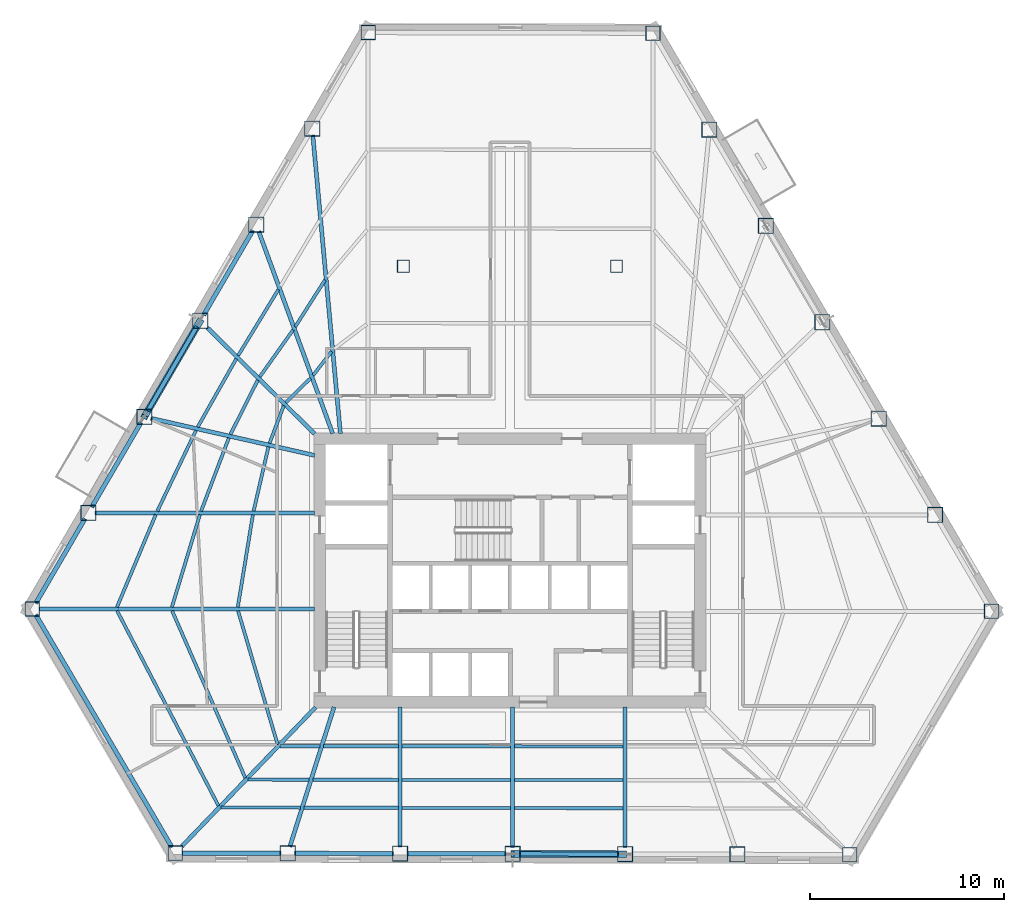
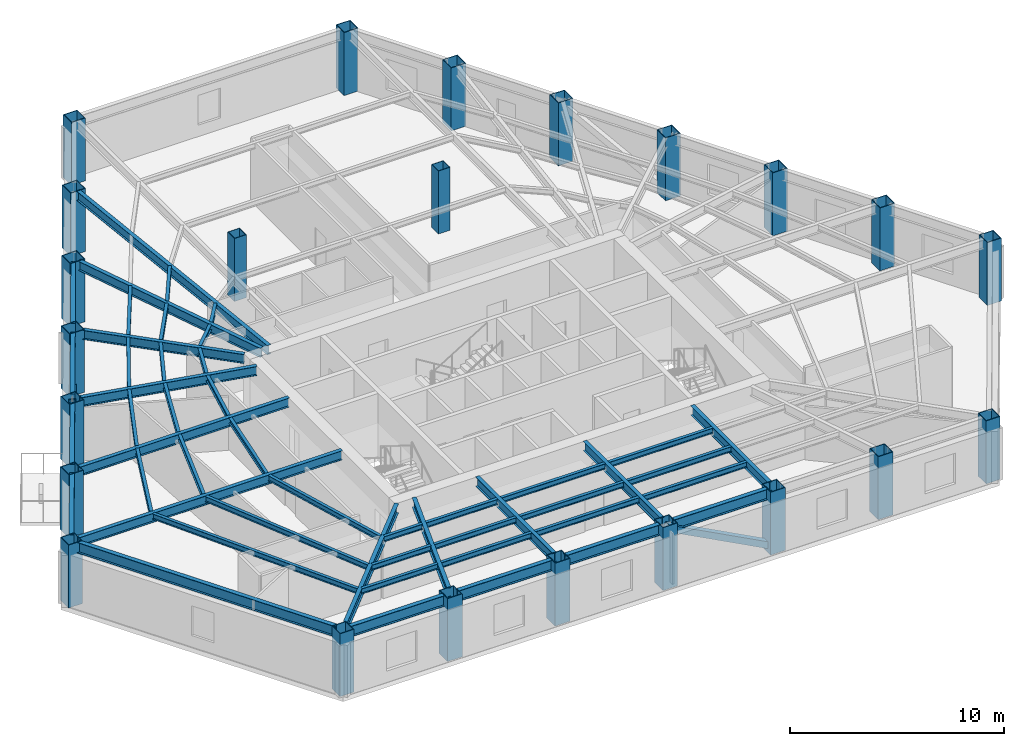
# One storey, part 1 of 11: 49 beams, 23 columns, 2 members.
"""IFC4 building model written with IfcOpenShell, lengths in metres."""

from ifc_helpers import new_model, si_unit, direction, frame, origin, origin_2d, place, context, subcontext, project, spatial, hollow_rectangle, i_section, extrude, material, material_profile, profile_set, type_object, element, save


model = new_model("IFC4")

# Units and contexts
model_context = context("Model", 3, precision=1e-05, world=origin(), true_north=direction((0.0, 1.0)))
body_context = subcontext(model_context, "Body", "Model", "MODEL_VIEW")
ifc_project = project(units=[si_unit("LENGTHUNIT", "METRE"), si_unit("AREAUNIT", "SQUARE_METRE"), si_unit("VOLUMEUNIT", "CUBIC_METRE"), si_unit("PLANEANGLEUNIT", "RADIAN"), si_unit("MASSUNIT", "GRAM", prefix="KILO")], contexts=[model_context])

# Site, building, storey
site_placement = place(None, origin())
site = spatial("IfcSite", under=ifc_project, at=site_placement, CompositionType="ELEMENT")
building_placement = place(site_placement, origin())
building = spatial("IfcBuilding", under=site, at=building_placement, Name="Kavelnor Concourse Tower", CompositionType="ELEMENT")
storey_placement = place(building_placement, frame((0.0, 0.0, 56.050048828125)))
storey = spatial("IfcBuildingStorey", under=building, at=storey_placement, Name="L14", CompositionType="ELEMENT", Elevation=56.050048828125)

# Columns
ifc_material = material(Name="Steel Grade 350", Category="steel")
ifc_material_profile_1 = material_profile(ifc_material, hollow_rectangle(XDim=0.760009765625, YDim=0.760009765625, WallThickness=0.034912109375, at=origin_2d()), Name="SHS 760x760x35")
ifc_profile_set_1 = profile_set([ifc_material_profile_1], Name="Steel Grade 350")
column_type_1 = type_object("IfcColumnType", Name="COL-FOLD-Z1", PredefinedType="COLUMN", material=ifc_profile_set_1)
for number, where, z_axis, x_axis, name in (
    (1, (30.67919921875, 43.864501953125, 0.0), (0.0, 0.0, 1.0), (1.0, 0.0, 0.0), "L14 Perimeter Corner-Fold Column F0-B0"),
    (2, (13.345458984375, 14.102294921875, 0.0), (0.0, 0.0, 1.0), (1.0, 0.0, 0.0), "L14 Perimeter Corner-Fold Column F0-B6"),
    (3, (20.723388671875, 1.502685546875, 0.0), (0.0, 0.0, 1.0), (1.0, 0.0, 0.0), "L14 Perimeter Corner-Fold Column F1-B0"),
    (4, (55.54541015625, 1.42041015625, 0.0), (0.0, 0.0, 1.0), (1.0, 0.0, 0.0), "L14 Perimeter Corner-Fold Column F1-B6"),
    (5, (62.861083984375, 13.981689453125, 0.0), (0.0, 0.0, 1.0), (1.0, 0.0, 0.0), "L14 Perimeter Corner-Fold Column F2-B0"),
    (6, (45.3828125, 43.829833984375, 0.0), (0.0, 0.0, 1.0), (1.0, 0.0, 0.0), "L14 Perimeter Corner-Fold Column F2-B6"),
):
    element("IfcColumn", number, at=place(storey_placement, frame(where, z_axis=z_axis, x_axis=x_axis)), inside=storey, type_object=column_type_1, Name=name, PredefinedType="COLUMN", context=body_context, shape_type="SweptSolid", body=[
        extrude(hollow_rectangle(XDim=0.760009765625, YDim=0.760009765625, WallThickness=0.034912109375, at=origin_2d()), origin(), (0.0, 0.0, 1.0), 3.58984375),
    ])
ifc_material_profile_2 = material_profile(ifc_material, hollow_rectangle(XDim=0.800048828125, YDim=0.800048828125, WallThickness=0.035888671875, at=origin_2d()), Name="SHS 800x800x36")
ifc_profile_set_2 = profile_set([ifc_material_profile_2], Name="Steel Grade 350")
column_type_2 = type_object("IfcColumnType", Name="COL-TUBE-Z1", PredefinedType="COLUMN", material=ifc_profile_set_2)
for number, where, z_axis, x_axis, name in (
    (7, (27.790283203125, 38.904296875, 0.0), (0.0, 0.0, 1.0), (1.0, 0.0, 0.0), "L14 Perimeter Framed-Tube Column F0-B1"),
    (8, (24.9013671875, 33.94384765625, 0.0), (0.0, 0.0, 1.0), (1.0, 0.0, 0.0), "L14 Perimeter Framed-Tube Column F0-B2"),
    (9, (22.012451171875, 28.9833984375, 0.0), (0.0, 0.0, 1.0), (1.0, 0.0, 0.0), "L14 Perimeter Framed-Tube Column F0-B3"),
    (10, (19.123291015625, 24.023193359375, 0.0), (0.0, 0.0, 1.0), (1.0, 0.0, 0.0), "L14 Perimeter Framed-Tube Column F0-B4"),
    (11, (16.234619140625, 19.062744140625, 0.0), (0.0, 0.0, 1.0), (1.0, 0.0, 0.0), "L14 Perimeter Framed-Tube Column F0-B5"),
    (12, (26.527099609375, 1.489013671875, 0.0), (0.0, 0.0, 1.0), (1.0, 0.0, 0.0), "L14 Perimeter Framed-Tube Column F1-B1"),
    (13, (32.330810546875, 1.47509765625, 0.0), (0.0, 0.0, 1.0), (1.0, 0.0, 0.0), "L14 Perimeter Framed-Tube Column F1-B2"),
    (14, (38.134521484375, 1.46142578125, 0.0), (0.0, 0.0, 1.0), (1.0, 0.0, 0.0), "L14 Perimeter Framed-Tube Column F1-B3"),
    (15, (43.93798828125, 1.447998046875, 0.0), (0.0, 0.0, 1.0), (1.0, 0.0, 0.0), "L14 Perimeter Framed-Tube Column F1-B4"),
    (16, (49.74169921875, 1.43408203125, 0.0), (0.0, 0.0, 1.0), (1.0, 0.0, 0.0), "L14 Perimeter Framed-Tube Column F1-B5"),
    (17, (59.947998046875, 18.956298828125, 0.0), (0.0, 0.0, 1.0), (1.0, 0.0, 0.0), "L14 Perimeter Framed-Tube Column F2-B1"),
    (18, (57.03515625, 23.93115234375, 0.0), (0.0, 0.0, 1.0), (1.0, 0.0, 0.0), "L14 Perimeter Framed-Tube Column F2-B2"),
    (19, (54.1220703125, 28.90576171875, 0.0), (0.0, 0.0, 1.0), (1.0, 0.0, 0.0), "L14 Perimeter Framed-Tube Column F2-B3"),
    (20, (51.208984375, 33.88037109375, 0.0), (0.0, 0.0, 1.0), (1.0, 0.0, 0.0), "L14 Perimeter Framed-Tube Column F2-B4"),
    (21, (48.2958984375, 38.85498046875, 0.0), (0.0, 0.0, 1.0), (1.0, 0.0, 0.0), "L14 Perimeter Framed-Tube Column F2-B5"),
):
    element("IfcColumn", number, at=place(storey_placement, frame(where, z_axis=z_axis, x_axis=x_axis)), inside=storey, type_object=column_type_2, Name=name, PredefinedType="COLUMN", context=body_context, shape_type="SweptSolid", body=[
        extrude(hollow_rectangle(XDim=0.800048828125, YDim=0.800048828125, WallThickness=0.035888671875, at=origin_2d()), origin(), (0.0, 0.0, 1.0), 3.58984375),
    ])
ifc_material_profile_3 = material_profile(ifc_material, hollow_rectangle(XDim=0.639892578125, YDim=0.639892578125, WallThickness=0.028076171875, at=origin_2d()), Name="SHS 640x640x28")
ifc_profile_set_3 = profile_set([ifc_material_profile_3], Name="Steel Grade 350")
column_type_3 = type_object("IfcColumnType", Name="COL-TUBE-Z3", PredefinedType="COLUMN", material=ifc_profile_set_3)
for number, where, z_axis, x_axis, name in (
    (22, (32.5, 31.800048828125, 0.0), (0.0, 0.0, 1.0), (1.0, 0.0, 0.0), "L14 North Interior Gravity Column BC-NW"),
    (23, (43.5, 31.800048828125, 0.0), (0.0, 0.0, 1.0), (1.0, 0.0, 0.0), "L14 North Interior Gravity Column BC-NE"),
):
    element("IfcColumn", number, at=place(storey_placement, frame(where, z_axis=z_axis, x_axis=x_axis)), inside=storey, type_object=column_type_3, Name=name, PredefinedType="COLUMN", context=body_context, shape_type="SweptSolid", body=[
        extrude(hollow_rectangle(XDim=0.639892578125, YDim=0.639892578125, WallThickness=0.028076171875, at=origin_2d()), origin(), (0.0, 0.0, 1.0), 3.58984375),
    ])

# Beams
ifc_material_profile_4 = material_profile(ifc_material, i_section(OverallWidth=0.166015625, OverallDepth=0.306884765625, WebThickness=0.006591796875, FlangeThickness=0.01171875, at=origin_2d()), Name="310UB46")
ifc_profile_set_4 = profile_set([ifc_material_profile_4], Name="Steel Grade 350")
beam_type_1 = type_object("IfcBeamType", Name="BM-JOIST-310", PredefinedType="JOIST", material=ifc_profile_set_4)
beam_1_placement = place(storey_placement, frame((23.96240234375, 14.008056640625, 3.4365234375), z_axis=(0.283916055534, -0.958849140068, 0.0), x_axis=(0.958849140068, 0.283916055534, 0.0)))
element("IfcBeam", 24, at=beam_1_placement, inside=storey, type_object=beam_type_1, Name="L14 Secondary Composite Joist 01-1", PredefinedType="JOIST", context=body_context, shape_type="SweptSolid", body=[
    extrude(i_section(OverallWidth=0.166015625, OverallDepth=0.306884765625, WebThickness=0.006591796875, FlangeThickness=0.01171875, at=origin_2d()), origin(), (0.0, 0.0, 1.0), 7.189697265625),
])
beam_2_placement = place(storey_placement, frame((20.5576171875, 14.01220703125, 3.4365234375), z_axis=(0.401239111096, -0.915973348808, 0.0), x_axis=(0.915973348808, 0.401239111096, 0.0)))
element("IfcBeam", 25, at=beam_2_placement, inside=storey, type_object=beam_type_1, Name="L14 Secondary Composite Joist 01-2", PredefinedType="JOIST", context=body_context, shape_type="SweptSolid", body=[
    extrude(i_section(OverallWidth=0.166015625, OverallDepth=0.306884765625, WebThickness=0.006591796875, FlangeThickness=0.01171875, at=origin_2d()), origin(), (0.0, 0.0, 1.0), 9.41552734375),
])
beam_3_placement = place(storey_placement, frame((17.716552734375, 14.014892578125, 3.4365234375), z_axis=(0.461268027369, -0.887260844919, 0.0), x_axis=(0.887260844919, 0.461268027369, 0.0)))
element("IfcBeam", 26, at=beam_3_placement, inside=storey, type_object=beam_type_1, Name="L14 Secondary Composite Joist 01-3", PredefinedType="JOIST", context=body_context, shape_type="SweptSolid", body=[
    extrude(i_section(OverallWidth=0.166015625, OverallDepth=0.306884765625, WebThickness=0.006591796875, FlangeThickness=0.01171875, at=origin_2d()), origin(), (0.0, 0.0, 1.0), 11.343505859375),
])
beam_4_placement = place(storey_placement, frame((26.130126953125, 7.019775390625, 3.4365234375), z_axis=(0.999999992905, 0.000119118522, 0.0), x_axis=(-0.000119118522, 0.999999992905, 0.0)))
element("IfcBeam", 27, at=beam_4_placement, inside=storey, type_object=beam_type_1, Name="L14 Secondary Composite Joist 02-1", PredefinedType="JOIST", context=body_context, shape_type="SweptSolid", body=[
    extrude(i_section(OverallWidth=0.166015625, OverallDepth=0.306884765625, WebThickness=0.006591796875, FlangeThickness=0.01171875, at=origin_2d()), origin(), (0.0, 0.0, 1.0), 2.049560546875),
])
beam_5_placement = place(storey_placement, frame((24.473388671875, 5.297607421875, 3.4365234375), z_axis=(0.99999748794, -0.002241453637, 0.0), x_axis=(0.002241453637, 0.99999748794, 0.0)))
element("IfcBeam", 28, at=beam_5_placement, inside=storey, type_object=beam_type_1, Name="L14 Secondary Composite Joist 02-2", PredefinedType="JOIST", context=body_context, shape_type="SweptSolid", body=[
    extrude(i_section(OverallWidth=0.166015625, OverallDepth=0.306884765625, WebThickness=0.006591796875, FlangeThickness=0.01171875, at=origin_2d()), origin(), (0.0, 0.0, 1.0), 3.15869140625),
])
beam_6_placement = place(storey_placement, frame((23.0927734375, 3.862548828125, 3.4365234375), z_axis=(0.999994592313, -0.003288669133, 0.0), x_axis=(0.003288669133, 0.999994592313, 0.0)))
element("IfcBeam", 29, at=beam_6_placement, inside=storey, type_object=beam_type_1, Name="L14 Secondary Composite Joist 02-3", PredefinedType="JOIST", context=body_context, shape_type="SweptSolid", body=[
    extrude(i_section(OverallWidth=0.166015625, OverallDepth=0.306884765625, WebThickness=0.006591796875, FlangeThickness=0.01171875, at=origin_2d()), origin(), (0.0, 0.0, 1.0), 4.0830078125),
])
beam_7_placement = place(storey_placement, frame((28.376708984375, 7.02001953125, 3.4365234375), z_axis=(0.999999711329, -0.000759830085, 0.0), x_axis=(0.000759830085, 0.999999711329, 0.0)))
element("IfcBeam", 30, at=beam_7_placement, inside=storey, type_object=beam_type_1, Name="L14 Secondary Composite Joist 03-1", PredefinedType="JOIST", context=body_context, shape_type="SweptSolid", body=[
    extrude(i_section(OverallWidth=0.166015625, OverallDepth=0.306884765625, WebThickness=0.006591796875, FlangeThickness=0.01171875, at=origin_2d()), origin(), (0.0, 0.0, 1.0), 3.855712890625),
])
beam_8_placement = place(storey_placement, frame((27.8291015625, 5.2900390625, 3.4365234375), z_axis=(0.999998794951, -0.001552448783, 0.0), x_axis=(0.001552448783, 0.999998794951, 0.0)))
element("IfcBeam", 31, at=beam_8_placement, inside=storey, type_object=beam_type_1, Name="L14 Secondary Composite Joist 03-2", PredefinedType="JOIST", context=body_context, shape_type="SweptSolid", body=[
    extrude(i_section(OverallWidth=0.166015625, OverallDepth=0.306884765625, WebThickness=0.006591796875, FlangeThickness=0.01171875, at=origin_2d()), origin(), (0.0, 0.0, 1.0), 4.4033203125),
])
beam_9_placement = place(storey_placement, frame((27.372802734375, 3.8486328125, 3.4365234375), z_axis=(0.99999777391, -0.00211001791, 0.0), x_axis=(0.00211001791, 0.99999777391, 0.0)))
element("IfcBeam", 32, at=beam_9_placement, inside=storey, type_object=beam_type_1, Name="L14 Secondary Composite Joist 03-3", PredefinedType="JOIST", context=body_context, shape_type="SweptSolid", body=[
    extrude(i_section(OverallWidth=0.166015625, OverallDepth=0.306884765625, WebThickness=0.006591796875, FlangeThickness=0.01171875, at=origin_2d()), origin(), (0.0, 0.0, 1.0), 4.859619140625),
])
for number, where, z_axis, x_axis, name in (
    (33, (32.42919921875, 7.01708984375, 3.4365234375), (0.999999757296, -0.000696712219, 0.0), (0.000696712219, 0.999999757296, 0.0), "L14 Secondary Composite Joist 04-1"),
    (34, (32.42919921875, 5.282958984375, 3.4365234375), (0.99999925672, -0.001219245773, 0.0), (0.001219245773, 0.99999925672, 0.0), "L14 Secondary Composite Joist 04-2"),
    (35, (32.42919921875, 3.837890625, 3.4365234375), (0.999998558, -0.001698233998, 0.0), (0.001698233998, 0.999998558, 0.0), "L14 Secondary Composite Joist 04-3"),
    (36, (38.23291015625, 7.01318359375, 3.4365234375), (0.999999786686, -0.000653167725, 0.0), (0.000653167725, 0.999999786686, 0.0), "L14 Secondary Composite Joist 05-1"),
    (37, (38.23291015625, 5.27587890625, 3.4365234375), (0.99999925672, -0.001219245773, 0.0), (0.001219245773, 0.99999925672, 0.0), "L14 Secondary Composite Joist 05-2"),
    (38, (38.23291015625, 3.828125, 3.4365234375), (0.999998558, -0.001698233998, 0.0), (0.001698233998, 0.999998558, 0.0), "L14 Secondary Composite Joist 05-3"),
):
    element("IfcBeam", number, at=place(storey_placement, frame(where, z_axis=z_axis, x_axis=x_axis)), inside=storey, type_object=beam_type_1, Name=name, PredefinedType="JOIST", context=body_context, shape_type="SweptSolid", body=[
        extrude(i_section(OverallWidth=0.166015625, OverallDepth=0.306884765625, WebThickness=0.006591796875, FlangeThickness=0.01171875, at=origin_2d()), origin(), (0.0, 0.0, 1.0), 5.606689453125),
    ])
beam_10_placement = place(storey_placement, frame((28.786376953125, 27.395263671875, 3.4365234375), z_axis=(-0.610741615082, -0.791829956245, 0.0), x_axis=(0.791829956245, -0.610741615082, 0.0)))
element("IfcBeam", 39, at=beam_10_placement, inside=storey, type_object=beam_type_1, Name="L14 Secondary Composite Joist 17-1", PredefinedType="JOIST", context=body_context, shape_type="SweptSolid", body=[
    extrude(i_section(OverallWidth=0.166015625, OverallDepth=0.306884765625, WebThickness=0.006591796875, FlangeThickness=0.01171875, at=origin_2d()), origin(), (0.0, 0.0, 1.0), 1.555908203125),
])
beam_11_placement = place(storey_placement, frame((28.451904296875, 31.087158203125, 3.4365234375), z_axis=(-0.537719541094, -0.843123772127, 0.0), x_axis=(0.843123772127, -0.537719541094, 0.0)))
element("IfcBeam", 40, at=beam_11_placement, inside=storey, type_object=beam_type_1, Name="L14 Secondary Composite Joist 17-2", PredefinedType="JOIST", context=body_context, shape_type="SweptSolid", body=[
    extrude(i_section(OverallWidth=0.166015625, OverallDepth=0.306884765625, WebThickness=0.006591796875, FlangeThickness=0.01171875, at=origin_2d()), origin(), (0.0, 0.0, 1.0), 2.862548828125),
])
beam_12_placement = place(storey_placement, frame((27.705810546875, 26.016357421875, 3.4365234375), z_axis=(-0.713135911476, -0.701025799642, 0.0), x_axis=(0.701025799642, -0.713135911476, 0.0)))
element("IfcBeam", 41, at=beam_12_placement, inside=storey, type_object=beam_type_1, Name="L14 Secondary Composite Joist 18-1", PredefinedType="JOIST", context=body_context, shape_type="SweptSolid", body=[
    extrude(i_section(OverallWidth=0.166015625, OverallDepth=0.306884765625, WebThickness=0.006591796875, FlangeThickness=0.01171875, at=origin_2d()), origin(), (0.0, 0.0, 1.0), 1.794189453125),
])
beam_13_placement = place(storey_placement, frame((26.802490234375, 28.51025390625, 3.4365234375), z_axis=(-0.578570832259, -0.81563214261, 0.0), x_axis=(0.81563214261, -0.578570832259, 0.0)))
element("IfcBeam", 42, at=beam_13_placement, inside=storey, type_object=beam_type_1, Name="L14 Secondary Composite Joist 18-2", PredefinedType="JOIST", context=body_context, shape_type="SweptSolid", body=[
    extrude(i_section(OverallWidth=0.166015625, OverallDepth=0.306884765625, WebThickness=0.006591796875, FlangeThickness=0.01171875, at=origin_2d()), origin(), (0.0, 0.0, 1.0), 2.97314453125),
])
beam_14_placement = place(storey_placement, frame((26.044677734375, 30.594482421875, 3.4365234375), z_axis=(-0.520267038375, -0.854003635109, 0.0), x_axis=(0.854003635109, -0.520267038375, 0.0)))
element("IfcBeam", 43, at=beam_14_placement, inside=storey, type_object=beam_type_1, Name="L14 Secondary Composite Joist 18-3", PredefinedType="JOIST", context=body_context, shape_type="SweptSolid", body=[
    extrude(i_section(OverallWidth=0.166015625, OverallDepth=0.306884765625, WebThickness=0.006591796875, FlangeThickness=0.01171875, at=origin_2d()), origin(), (0.0, 0.0, 1.0), 3.991943359375),
])
beam_15_placement = place(storey_placement, frame((26.321044921875, 24.597412109375, 3.4365234375), z_axis=(-0.354309780852, -0.935128108439, 0.0), x_axis=(0.935128108439, -0.354309780852, 0.0)))
element("IfcBeam", 44, at=beam_15_placement, inside=storey, type_object=beam_type_1, Name="L14 Secondary Composite Joist 19-1", PredefinedType="JOIST", context=body_context, shape_type="SweptSolid", body=[
    extrude(i_section(OverallWidth=0.166015625, OverallDepth=0.306884765625, WebThickness=0.006591796875, FlangeThickness=0.01171875, at=origin_2d()), origin(), (0.0, 0.0, 1.0), 2.07275390625),
])
beam_16_placement = place(storey_placement, frame((24.98095703125, 25.9169921875, 3.4365234375), z_axis=(-0.450477194847, -0.892787935023, 0.0), x_axis=(0.892787935023, -0.450477194847, 0.0)))
element("IfcBeam", 45, at=beam_16_placement, inside=storey, type_object=beam_type_1, Name="L14 Secondary Composite Joist 19-2", PredefinedType="JOIST", context=body_context, shape_type="SweptSolid", body=[
    extrude(i_section(OverallWidth=0.166015625, OverallDepth=0.306884765625, WebThickness=0.006591796875, FlangeThickness=0.01171875, at=origin_2d()), origin(), (0.0, 0.0, 1.0), 3.138916015625),
])
beam_17_placement = place(storey_placement, frame((23.867919921875, 27.015380859375, 3.4365234375), z_axis=(-0.4917487534, -0.870737138021, 0.0), x_axis=(0.870737138021, -0.4917487534, 0.0)))
element("IfcBeam", 46, at=beam_17_placement, inside=storey, type_object=beam_type_1, Name="L14 Secondary Composite Joist 19-3", PredefinedType="JOIST", context=body_context, shape_type="SweptSolid", body=[
    extrude(i_section(OverallWidth=0.166015625, OverallDepth=0.306884765625, WebThickness=0.006591796875, FlangeThickness=0.01171875, at=origin_2d()), origin(), (0.0, 0.0, 1.0), 4.042236328125),
])
beam_18_placement = place(storey_placement, frame((25.529541015625, 22.47119140625, 3.4365234375), z_axis=(-0.224786075566, -0.974408138426, 0.0), x_axis=(0.974408138426, -0.224786075566, 0.0)))
element("IfcBeam", 47, at=beam_18_placement, inside=storey, type_object=beam_type_1, Name="L14 Secondary Composite Joist 20-1", PredefinedType="JOIST", context=body_context, shape_type="SweptSolid", body=[
    extrude(i_section(OverallWidth=0.166015625, OverallDepth=0.306884765625, WebThickness=0.006591796875, FlangeThickness=0.01171875, at=origin_2d()), origin(), (0.0, 0.0, 1.0), 3.3994140625),
])
beam_19_placement = place(storey_placement, frame((23.48779296875, 22.9345703125, 3.4365234375), z_axis=(-0.354417526514, -0.935087277691, 0.0), x_axis=(0.935087277691, -0.354417526514, 0.0)))
element("IfcBeam", 48, at=beam_19_placement, inside=storey, type_object=beam_type_1, Name="L14 Secondary Composite Joist 20-2", PredefinedType="JOIST", context=body_context, shape_type="SweptSolid", body=[
    extrude(i_section(OverallWidth=0.166015625, OverallDepth=0.306884765625, WebThickness=0.006591796875, FlangeThickness=0.01171875, at=origin_2d()), origin(), (0.0, 0.0, 1.0), 4.042236328125),
])
beam_20_placement = place(storey_placement, frame((21.789306640625, 23.32080078125, 3.4365234375), z_axis=(-0.431745168745, -0.901995625968, 0.0), x_axis=(0.901995625968, -0.431745168745, 0.0)))
element("IfcBeam", 49, at=beam_20_placement, inside=storey, type_object=beam_type_1, Name="L14 Secondary Composite Joist 20-3", PredefinedType="JOIST", context=body_context, shape_type="SweptSolid", body=[
    extrude(i_section(OverallWidth=0.166015625, OverallDepth=0.306884765625, WebThickness=0.006591796875, FlangeThickness=0.01171875, at=origin_2d()), origin(), (0.0, 0.0, 1.0), 4.6220703125),
])
beam_21_placement = place(storey_placement, frame((24.727294921875, 18.965576171875, 3.4365234375), z_axis=(-0.160929884408, -0.986965841508, 0.0), x_axis=(0.986965841508, -0.160929884408, 0.0)))
element("IfcBeam", 50, at=beam_21_placement, inside=storey, type_object=beam_type_1, Name="L14 Secondary Composite Joist 21-1", PredefinedType="JOIST", context=body_context, shape_type="SweptSolid", body=[
    extrude(i_section(OverallWidth=0.166015625, OverallDepth=0.306884765625, WebThickness=0.006591796875, FlangeThickness=0.01171875, at=origin_2d()), origin(), (0.0, 0.0, 1.0), 4.828857421875),
])
beam_22_placement = place(storey_placement, frame((21.99169921875, 18.968505859375, 3.4365234375), z_axis=(-0.289840225026, -0.957075046147, 0.0), x_axis=(0.957075046147, -0.289840225026, 0.0)))
element("IfcBeam", 51, at=beam_22_placement, inside=storey, type_object=beam_type_1, Name="L14 Secondary Composite Joist 21-2", PredefinedType="JOIST", context=body_context, shape_type="SweptSolid", body=[
    extrude(i_section(OverallWidth=0.166015625, OverallDepth=0.306884765625, WebThickness=0.006591796875, FlangeThickness=0.01171875, at=origin_2d()), origin(), (0.0, 0.0, 1.0), 4.98583984375),
])
beam_23_placement = place(storey_placement, frame((19.713134765625, 18.971923828125, 3.4365234375), z_axis=(-0.386708581211, -0.922201969862, 0.0), x_axis=(0.922201969862, -0.386708581211, 0.0)))
element("IfcBeam", 52, at=beam_23_placement, inside=storey, type_object=beam_type_1, Name="L14 Secondary Composite Joist 21-3", PredefinedType="JOIST", context=body_context, shape_type="SweptSolid", body=[
    extrude(i_section(OverallWidth=0.166015625, OverallDepth=0.306884765625, WebThickness=0.006591796875, FlangeThickness=0.01171875, at=origin_2d()), origin(), (0.0, 0.0, 1.0), 5.181884765625),
])
ifc_material_profile_5 = material_profile(ifc_material, i_section(OverallWidth=0.208984375, OverallDepth=0.528076171875, WebThickness=0.009521484375, FlangeThickness=0.01318359375, at=origin_2d()), Name="530UB82")
ifc_profile_set_5 = profile_set([ifc_material_profile_5], Name="Steel Grade 350")
beam_type_2 = type_object("IfcBeamType", Name="BM-PRIMARY-530", PredefinedType="BEAM", material=ifc_profile_set_5)
beam_24_placement = place(storey_placement, frame((29.2451171875, 23.16015625, 3.325927734375), z_axis=(-0.092009853597, 0.995758096548, 0.0), x_axis=(-0.995758096548, -0.092009853597, 0.0)))
element("IfcBeam", 53, at=beam_24_placement, inside=storey, type_object=beam_type_2, Name="L14 Primary Floor Girder F0-B1", PredefinedType="BEAM", context=body_context, shape_type="SweptSolid", body=[
    extrude(i_section(OverallWidth=0.208984375, OverallDepth=0.528076171875, WebThickness=0.009521484375, FlangeThickness=0.01318359375, at=origin_2d()), origin(), (0.0, 0.0, 1.0), 15.469482421875),
])
beam_25_placement = place(storey_placement, frame((28.84521484375, 23.162353515625, 3.325927734375), z_axis=(-0.343539481199, 0.939138235223, 0.0), x_axis=(-0.939138235223, -0.343539481199, 0.0)))
element("IfcBeam", 54, at=beam_25_placement, inside=storey, type_object=beam_type_2, Name="L14 Primary Floor Girder F0-B2", PredefinedType="BEAM", context=body_context, shape_type="SweptSolid", body=[
    extrude(i_section(OverallWidth=0.208984375, OverallDepth=0.528076171875, WebThickness=0.009521484375, FlangeThickness=0.01318359375, at=origin_2d()), origin(), (0.0, 0.0, 1.0), 11.115478515625),
])
beam_26_placement = place(storey_placement, frame((27.908447265625, 23.15478515625, 3.325927734375), z_axis=(-0.711150369644, 0.703039936102, 0.0), x_axis=(-0.703039936102, -0.711150369644, 0.0)))
element("IfcBeam", 55, at=beam_26_placement, inside=storey, type_object=beam_type_2, Name="L14 Primary Floor Girder F0-B3", PredefinedType="BEAM", context=body_context, shape_type="SweptSolid", body=[
    extrude(i_section(OverallWidth=0.208984375, OverallDepth=0.528076171875, WebThickness=0.009521484375, FlangeThickness=0.01318359375, at=origin_2d()), origin(), (0.0, 0.0, 1.0), 7.79638671875),
])
beam_27_placement = place(storey_placement, frame((27.9189453125, 22.031005859375, 3.325927734375), z_axis=(-0.975299677958, 0.220885803472, 0.0), x_axis=(-0.220885803472, -0.975299677958, 0.0)))
element("IfcBeam", 56, at=beam_27_placement, inside=storey, type_object=beam_type_2, Name="L14 Primary Floor Girder F0-B4", PredefinedType="BEAM", context=body_context, shape_type="SweptSolid", body=[
    extrude(i_section(OverallWidth=0.208984375, OverallDepth=0.528076171875, WebThickness=0.009521484375, FlangeThickness=0.01318359375, at=origin_2d()), origin(), (0.0, 0.0, 1.0), 8.668701171875),
])
beam_28_placement = place(storey_placement, frame((27.919921875, 19.062744140625, 3.325927734375), z_axis=(-1.0, 0.0, 0.0), x_axis=(0.0, -1.0, 0.0)))
element("IfcBeam", 57, at=beam_28_placement, inside=storey, type_object=beam_type_2, Name="L14 Primary Floor Girder F0-B5", PredefinedType="BEAM", context=body_context, shape_type="SweptSolid", body=[
    extrude(i_section(OverallWidth=0.208984375, OverallDepth=0.528076171875, WebThickness=0.009521484375, FlangeThickness=0.01318359375, at=origin_2d()), origin(), (0.0, 0.0, 1.0), 11.345458984375),
])
beam_29_placement = place(storey_placement, frame((27.919921875, 14.102294921875, 3.325927734375), z_axis=(-1.0, 0.0, 0.0), x_axis=(0.0, -1.0, 0.0)))
element("IfcBeam", 58, at=beam_29_placement, inside=storey, type_object=beam_type_2, Name="L14 Primary Floor Girder F0-B6", PredefinedType="BEAM", context=body_context, shape_type="SweptSolid", body=[
    extrude(i_section(OverallWidth=0.208984375, OverallDepth=0.528076171875, WebThickness=0.009521484375, FlangeThickness=0.01318359375, at=origin_2d()), origin(), (0.0, 0.0, 1.0), 14.234375),
])
beam_30_placement = place(storey_placement, frame((27.964599609375, 9.02880859375, 3.325927734375), z_axis=(-0.693329684766, -0.720620529976, 0.0), x_axis=(0.720620529976, -0.693329684766, 0.0)))
element("IfcBeam", 59, at=beam_30_placement, inside=storey, type_object=beam_type_2, Name="L14 Primary Floor Girder F1-B0", PredefinedType="BEAM", context=body_context, shape_type="SweptSolid", body=[
    extrude(i_section(OverallWidth=0.208984375, OverallDepth=0.528076171875, WebThickness=0.009521484375, FlangeThickness=0.01318359375, at=origin_2d()), origin(), (0.0, 0.0, 1.0), 9.956787109375),
])
beam_31_placement = place(storey_placement, frame((28.917236328125, 9.0380859375, 3.325927734375), z_axis=(-0.301853059133, -0.95335446225, 0.0), x_axis=(0.95335446225, -0.301853059133, 0.0)))
element("IfcBeam", 60, at=beam_31_placement, inside=storey, type_object=beam_type_2, Name="L14 Primary Floor Girder F1-B1", PredefinedType="BEAM", context=body_context, shape_type="SweptSolid", body=[
    extrude(i_section(OverallWidth=0.208984375, OverallDepth=0.528076171875, WebThickness=0.009521484375, FlangeThickness=0.01318359375, at=origin_2d()), origin(), (0.0, 0.0, 1.0), 7.559814453125),
])
beam_32_placement = place(storey_placement, frame((32.330810546875, 9.0400390625, 3.325927734375), z_axis=(0.0, -1.0, 0.0), x_axis=(1.0, 0.0, 0.0)))
element("IfcBeam", 61, at=beam_32_placement, inside=storey, type_object=beam_type_2, Name="L14 Primary Floor Girder F1-B2", PredefinedType="BEAM", context=body_context, shape_type="SweptSolid", body=[
    extrude(i_section(OverallWidth=0.208984375, OverallDepth=0.528076171875, WebThickness=0.009521484375, FlangeThickness=0.01318359375, at=origin_2d()), origin(), (0.0, 0.0, 1.0), 7.224853515625),
])
beam_33_placement = place(storey_placement, frame((38.134521484375, 9.0400390625, 3.325927734375), z_axis=(0.0, -1.0, 0.0), x_axis=(1.0, 0.0, 0.0)))
element("IfcBeam", 62, at=beam_33_placement, inside=storey, type_object=beam_type_2, Name="L14 Primary Floor Girder F1-B3", PredefinedType="BEAM", context=body_context, shape_type="SweptSolid", body=[
    extrude(i_section(OverallWidth=0.208984375, OverallDepth=0.528076171875, WebThickness=0.009521484375, FlangeThickness=0.01318359375, at=origin_2d()), origin(), (0.0, 0.0, 1.0), 7.238525390625),
])
beam_34_placement = place(storey_placement, frame((43.93798828125, 9.0400390625, 3.325927734375), z_axis=(0.0, -1.0, 0.0), x_axis=(1.0, 0.0, 0.0)))
element("IfcBeam", 63, at=beam_34_placement, inside=storey, type_object=beam_type_2, Name="L14 Primary Floor Girder F1-B4", PredefinedType="BEAM", context=body_context, shape_type="SweptSolid", body=[
    extrude(i_section(OverallWidth=0.208984375, OverallDepth=0.528076171875, WebThickness=0.009521484375, FlangeThickness=0.01318359375, at=origin_2d()), origin(), (0.0, 0.0, 1.0), 7.252197265625),
])
ifc_material_profile_6 = material_profile(ifc_material, i_section(OverallWidth=0.22900390625, OverallDepth=0.612060546875, WebThickness=0.011962890625, FlangeThickness=0.01953125, at=origin_2d()), Name="610UB125")
ifc_profile_set_6 = profile_set([ifc_material_profile_6], Name="Steel Grade 350")
beam_type_3 = type_object("IfcBeamType", Name="BM-SPANDREL-Z1", PredefinedType="SPANDREL", material=ifc_profile_set_6)
beam_35_placement = place(storey_placement, frame((24.727783203125, 33.645751953125, 3.283935546875), z_axis=(-0.5032697819, -0.864129346004, 0.0), x_axis=(0.864129346004, -0.5032697819, 0.0)))
element("IfcBeam", 64, at=beam_35_placement, inside=storey, type_object=beam_type_3, Name="L14 Perimeter Tube Spandrel Beam F0-B2", PredefinedType="SPANDREL", context=body_context, shape_type="SweptSolid", body=[
    extrude(i_section(OverallWidth=0.22900390625, OverallDepth=0.612060546875, WebThickness=0.011962890625, FlangeThickness=0.01953125, at=origin_2d()), origin(), (0.0, 0.0, 1.0), 5.050537109375),
])
for number, where, z_axis, x_axis, name in (
    (65, (21.8388671875, 28.685302734375, 3.283935546875), (-0.503290805307, -0.864117101609, 0.0), (0.864117101609, -0.503290805307, 0.0), "L14 Perimeter Tube Spandrel Beam F0-B3"),
    (66, (18.94970703125, 23.72509765625, 3.283935546875), (-0.503233684015, -0.864150368439, 0.0), (0.864150368439, -0.503233684015, 0.0), "L14 Perimeter Tube Spandrel Beam F0-B4"),
):
    element("IfcBeam", number, at=place(storey_placement, frame(where, z_axis=z_axis, x_axis=x_axis)), inside=storey, type_object=beam_type_3, Name=name, PredefinedType="SPANDREL", context=body_context, shape_type="SweptSolid", body=[
        extrude(i_section(OverallWidth=0.22900390625, OverallDepth=0.612060546875, WebThickness=0.011962890625, FlangeThickness=0.01953125, at=origin_2d()), origin(), (0.0, 0.0, 1.0), 5.05029296875),
    ])
beam_36_placement = place(storey_placement, frame((16.060791015625, 18.7646484375, 3.283935546875), z_axis=(-0.5032697819, -0.864129346004, 0.0), x_axis=(0.864129346004, -0.5032697819, 0.0)))
element("IfcBeam", 67, at=beam_36_placement, inside=storey, type_object=beam_type_3, Name="L14 Perimeter Tube Spandrel Beam F0-B5", PredefinedType="SPANDREL", context=body_context, shape_type="SweptSolid", body=[
    extrude(i_section(OverallWidth=0.22900390625, OverallDepth=0.612060546875, WebThickness=0.011962890625, FlangeThickness=0.01953125, at=origin_2d()), origin(), (0.0, 0.0, 1.0), 5.050537109375),
])
beam_37_placement = place(storey_placement, frame((21.068603515625, 1.501708984375, 3.283935546875), z_axis=(0.999997263474, -0.00233945409, 0.0), x_axis=(0.00233945409, 0.999997263474, 0.0)))
element("IfcBeam", 68, at=beam_37_placement, inside=storey, type_object=beam_type_3, Name="L14 Perimeter Tube Spandrel Beam F1-B0", PredefinedType="SPANDREL", context=body_context, shape_type="SweptSolid", body=[
    extrude(i_section(OverallWidth=0.22900390625, OverallDepth=0.612060546875, WebThickness=0.011962890625, FlangeThickness=0.01953125, at=origin_2d()), origin(), (0.0, 0.0, 1.0), 5.113525390625),
])
for number, where, z_axis, x_axis, name in (
    (69, (26.8720703125, 1.488037109375, 3.283935546875), (0.999997263735, -0.002339342401, 0.0), (0.002339342401, 0.999997263735, 0.0), "L14 Perimeter Tube Spandrel Beam F1-B1"),
    (70, (32.67578125, 1.474365234375, 3.283935546875), (0.999997263735, -0.002339342401, 0.0), (0.002339342401, 0.999997263735, 0.0), "L14 Perimeter Tube Spandrel Beam F1-B2"),
):
    element("IfcBeam", number, at=place(storey_placement, frame(where, z_axis=z_axis, x_axis=x_axis)), inside=storey, type_object=beam_type_3, Name=name, PredefinedType="SPANDREL", context=body_context, shape_type="SweptSolid", body=[
        extrude(i_section(OverallWidth=0.22900390625, OverallDepth=0.612060546875, WebThickness=0.011962890625, FlangeThickness=0.01953125, at=origin_2d()), origin(), (0.0, 0.0, 1.0), 5.11376953125),
    ])
beam_38_placement = place(storey_placement, frame((38.4794921875, 1.460693359375, 3.283935546875), z_axis=(0.999997263474, -0.00233945409, 0.0), x_axis=(0.00233945409, 0.999997263474, 0.0)))
element("IfcBeam", 71, at=beam_38_placement, inside=storey, type_object=beam_type_3, Name="L14 Perimeter Tube Spandrel Beam F1-B3", PredefinedType="SPANDREL", context=body_context, shape_type="SweptSolid", body=[
    extrude(i_section(OverallWidth=0.22900390625, OverallDepth=0.612060546875, WebThickness=0.011962890625, FlangeThickness=0.01953125, at=origin_2d()), origin(), (0.0, 0.0, 1.0), 5.113525390625),
])
beam_39_placement = place(storey_placement, frame((13.519775390625, 13.8046875, 3.283935546875), z_axis=(0.505317239061, -0.862933652089, 0.0), x_axis=(0.862933652089, 0.505317239061, 0.0)))
element("IfcBeam", 72, at=beam_39_placement, inside=storey, type_object=beam_type_3, Name="L14 Chamfer Facet Spandrel Beam C1", PredefinedType="SPANDREL", context=body_context, shape_type="SweptSolid", body=[
    extrude(i_section(OverallWidth=0.22900390625, OverallDepth=0.612060546875, WebThickness=0.011962890625, FlangeThickness=0.01953125, at=origin_2d()), origin(), (0.0, 0.0, 1.0), 13.9111328125),
])

# Members
ifc_material_profile_7 = material_profile(ifc_material, hollow_rectangle(XDim=0.35009765625, YDim=0.35009765625, WallThickness=0.02001953125, at=origin_2d()), Name="SHS 350x350x20")
ifc_profile_set_7 = profile_set([ifc_material_profile_7], Name="Steel Grade 350")
member_type = type_object("IfcMemberType", Name="MBR-TUBE-DIAG-Z1", PredefinedType="BRACE", material=ifc_profile_set_7)
member_1_placement = place(storey_placement, frame((22.012451171875, 28.9833984375, 0.219970703125), z_axis=(-0.44402001037, -0.762308141853, 0.470884834388), x_axis=(0.864104204742, -0.503312947724, 0.0)))
element("IfcMember", 73, at=member_1_placement, inside=storey, type_object=member_type, Name="L14 Framed-Tube Bracing Diagonal F0-B3", PredefinedType="BRACE", context=body_context, shape_type="SweptSolid", body=[
    extrude(hollow_rectangle(XDim=0.35009765625, YDim=0.35009765625, WallThickness=0.02001953125, at=origin_2d()), origin(), (0.0, 0.0, 1.0), 6.5068359375),
])
member_2_placement = place(storey_placement, frame((43.93798828125, 1.447998046875, 0.219970703125), z_axis=(-0.884318480828, 0.002046086258, 0.466879682571), x_axis=(-0.002313737444, -0.999997323306, 0.0)))
element("IfcMember", 74, at=member_2_placement, inside=storey, type_object=member_type, Name="L14 Framed-Tube Bracing Diagonal F1-B3", PredefinedType="BRACE", context=body_context, shape_type="SweptSolid", body=[
    extrude(hollow_rectangle(XDim=0.35009765625, YDim=0.35009765625, WallThickness=0.02001953125, at=origin_2d()), origin(), (0.0, 0.0, 1.0), 6.562744140625),
])

save(model, "model.ifc")
